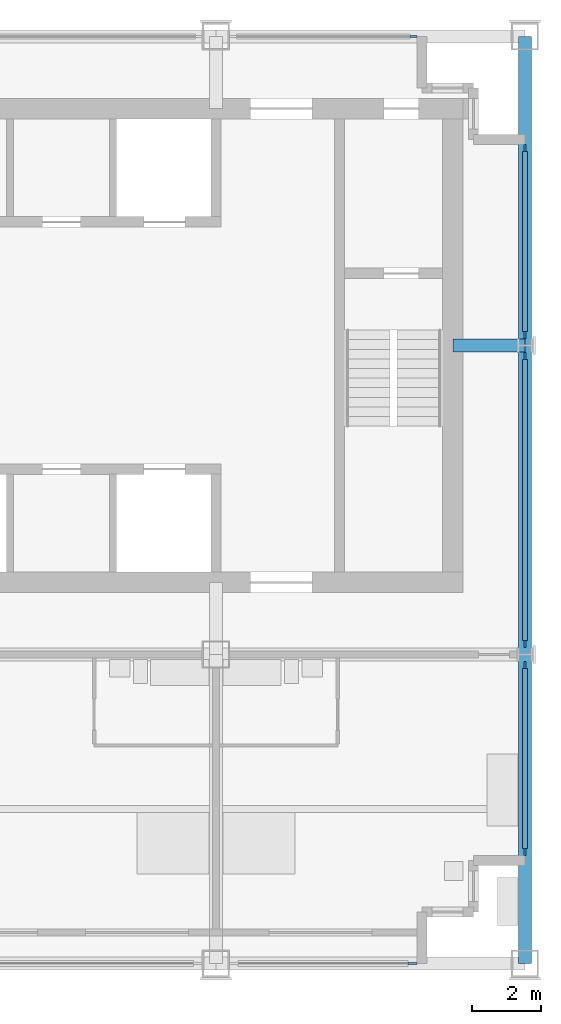
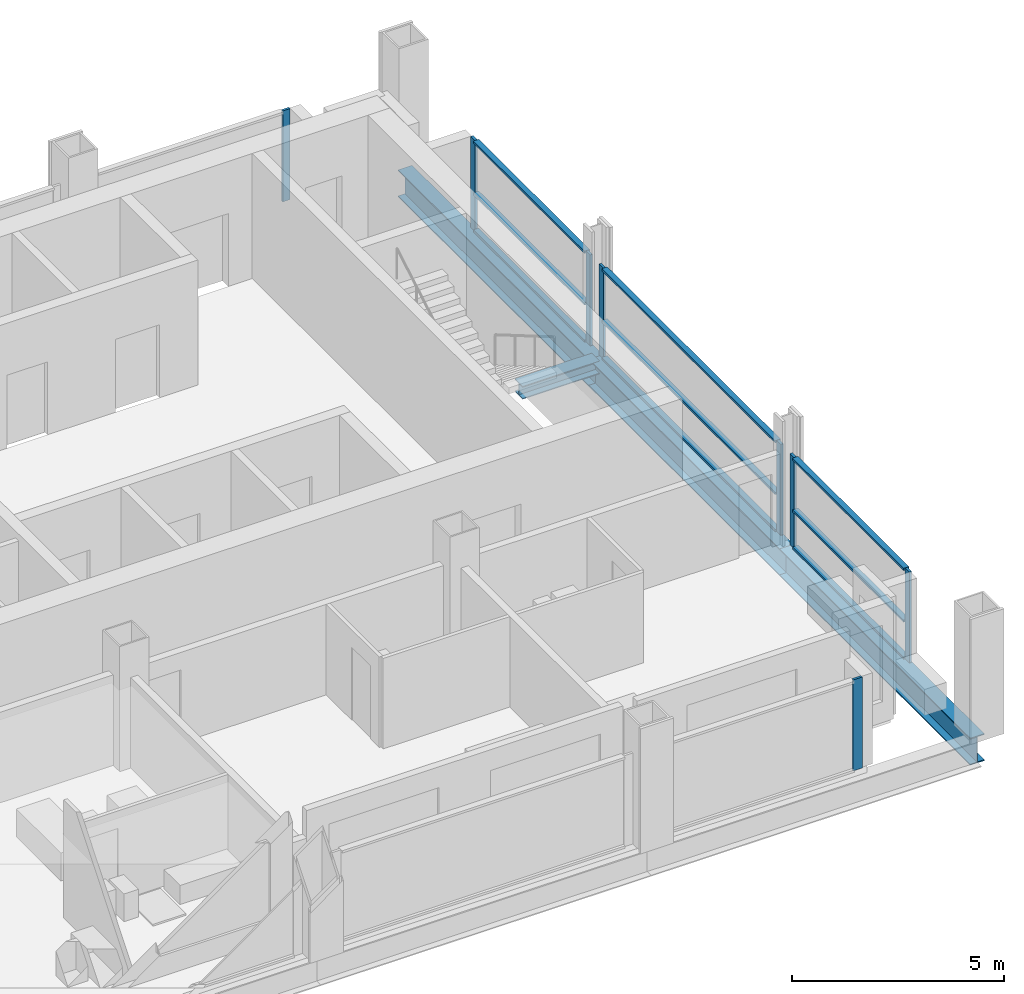
# One storey, part 4 of 11: 18 members, 3 beams, 5 elements without a shape of their own.
"""IFC4 building model written with IfcOpenShell, lengths in metres."""

import ifcopenshell
import ifcopenshell.guid

model = None  # the IFC model being written
_history = None  # IfcOwnerHistory: only IFC2X3 demands one
_inside = {}  # id of a spatial element -> (the spatial element, [elements in it])
_under = {}  # id of a project, library or spatial element -> (it, [spatial elements below it])
_declared = {}  # id of a project -> (the project, [libraries it declares])
_typed = {}  # id of a type object -> (the type object, [elements of that type])
_made_of = {}  # id of a material, layer set ... -> (it, [elements and type objects made of it])


def new_model(schema):
    """Start an empty IFC model of exactly this schema.

    Asked for "IFC4X3", IfcOpenShell would pick the latest addendum, in which some entities
    have other attributes; the version numbers below select the first issue.
    IFC2X3 requires an IfcOwnerHistory on every rooted entity: one is made here for all.
    """
    global model, _history
    if schema == "IFC4X3":
        model = ifcopenshell.file(schema_version=(4, 3, 0, 0))
    else:
        model = ifcopenshell.file(schema=schema)
    _inside.clear()
    _under.clear()
    _declared.clear()
    _typed.clear()
    _made_of.clear()
    _history = None
    if model.schema == "IFC2X3":
        org = make("IfcOrganization", Name="unknown")
        user = make(
            "IfcPersonAndOrganization",
            ThePerson=make("IfcPerson", FamilyName="unknown"),
            TheOrganization=org,
        )
        app = make(
            "IfcApplication",
            ApplicationDeveloper=org,
            Version="unknown",
            ApplicationFullName="unknown",
            ApplicationIdentifier="unknown",
        )
        _history = make(
            "IfcOwnerHistory",
            OwningUser=user,
            OwningApplication=app,
            ChangeAction="ADDED",
            CreationDate=0,
        )
    return model


def make(cls, **values):
    """One entity of the class cls with the attributes given. An attribute that is None is left unset."""
    return model.create_entity(
        cls, **{name: value for name, value in values.items() if value is not None}
    )


def rooted(cls, **values):
    """An entity with a GlobalId (a new one), such as an element, a storey or a relation."""
    return make(cls, GlobalId=ifcopenshell.guid.new(), OwnerHistory=_history, **values)


def si_unit(unit_type, name, prefix=None):
    """IfcSIUnit, for example si_unit("LENGTHUNIT", "METRE", prefix="MILLI")."""
    return make("IfcSIUnit", UnitType=unit_type, Prefix=prefix, Name=name)


def assignment(units):
    """IfcUnitAssignment: the units of a project."""
    return None if units is None else make("IfcUnitAssignment", Units=units)


def point(xyz):
    """IfcCartesianPoint."""
    return None if xyz is None else make("IfcCartesianPoint", Coordinates=xyz)


def direction(xyz):
    """IfcDirection."""
    return None if xyz is None else make("IfcDirection", DirectionRatios=xyz)


def frame(location, z_axis=None, x_axis=None):
    """IfcAxis2Placement3D, a coordinate frame: its origin and axes. An axis left out is left unset."""
    return make(
        "IfcAxis2Placement3D",
        Location=point(location),
        Axis=direction(z_axis),
        RefDirection=direction(x_axis),
    )


def frame_2d(location, x_axis=None):
    """IfcAxis2Placement2D, a coordinate frame in the plane: its origin and x axis."""
    return make(
        "IfcAxis2Placement2D", Location=point(location), RefDirection=direction(x_axis)
    )


def origin():
    """The frame at (0, 0, 0) with its axes left unset."""
    return frame((0.0, 0.0, 0.0))


def origin_2d():
    """The frame at (0, 0) in the plane with its x axis left unset."""
    return frame_2d((0.0, 0.0))


def place(relative_to, where):
    """IfcLocalPlacement: puts the frame where relative to a parent placement (None: the world)."""
    return make(
        "IfcLocalPlacement", PlacementRelTo=relative_to, RelativePlacement=where
    )


def context(
    kind, dimensions, precision=None, world=None, true_north=None, identifier=None
):
    """IfcGeometricRepresentationContext, for example the 3D "Model" context."""
    return make(
        "IfcGeometricRepresentationContext",
        ContextIdentifier=identifier,
        ContextType=kind,
        CoordinateSpaceDimension=dimensions,
        Precision=precision,
        WorldCoordinateSystem=world,
        TrueNorth=true_north,
    )


def subcontext(parent, identifier, kind, view, scale=None):
    """IfcGeometricRepresentationSubContext, for example "Body" below "Model"."""
    return make(
        "IfcGeometricRepresentationSubContext",
        ContextIdentifier=identifier,
        ContextType=kind,
        ParentContext=parent,
        TargetScale=scale,
        TargetView=view,
    )


def project(units=None, contexts=None):
    """IfcProject with its units and contexts."""
    return rooted(
        "IfcProject",
        Name="project",
        RepresentationContexts=contexts,
        UnitsInContext=assignment(units),
    )


def spatial(cls, under=None, at=None, **own):
    """A site, building, storey or space (cls), placed at a placement, below another one or the project."""
    s = rooted(cls, ObjectPlacement=at, **own)
    if under is not None:
        _under.setdefault(under.id(), (under, []))[1].append(s)
    return s


def profile(cls, at=None, kind="AREA", **sizes):
    """A parametric profile (cls). Its sizes go by their IFC names, for example OverallWidth=200.0."""
    return make(cls, ProfileType=kind, Position=at, **sizes)


def rectangle(**sizes):
    """IfcRectangleProfileDef."""
    return profile("IfcRectangleProfileDef", **sizes)


def i_section(**sizes):
    """IfcIShapeProfileDef."""
    return profile("IfcIShapeProfileDef", **sizes)


def extrude(swept, where, along, depth):
    """IfcExtrudedAreaSolid: the profile swept, set in the frame where, extruded along a direction by depth."""
    return make(
        "IfcExtrudedAreaSolid",
        SweptArea=swept,
        Position=where,
        ExtrudedDirection=direction(along),
        Depth=depth,
    )


def shape(context_of_items, identifier, shape_type, items):
    """IfcShapeRepresentation: the items that make up one representation, for example the "Body"."""
    return make(
        "IfcShapeRepresentation",
        ContextOfItems=context_of_items,
        RepresentationIdentifier=identifier,
        RepresentationType=shape_type,
        Items=items,
    )


def material(Name=None, Category=None):
    """IfcMaterial."""
    return make("IfcMaterial", Name=Name, Category=Category)


def material_profile(
    of_material, cross_section, Name=None, Category=None, Priority=None
):
    """IfcMaterialProfile: a cross section and its material."""
    return make(
        "IfcMaterialProfile",
        Name=Name,
        Material=of_material,
        Profile=cross_section,
        Priority=Priority,
        Category=Category,
    )


def profile_set(profiles, Name=None, composite=None):
    """IfcMaterialProfileSet."""
    return make(
        "IfcMaterialProfileSet",
        Name=Name,
        MaterialProfiles=profiles,
        CompositeProfile=composite,
    )


def made_of(thing, what):
    """Note that an element or type object is made of a material, layer set ...; save() writes the relation."""
    if what is not None:
        _made_of.setdefault(what.id(), (what, []))[1].append(thing)
    return thing


def type_object(cls, material=None, **own):
    """A type object (cls), such as IfcWallType, which elements share."""
    return made_of(rooted(cls, **own), material)


def element(
    cls,
    number,
    at=None,
    inside=None,
    cuts=None,
    type_object=None,
    material=None,
    context=None,
    identifier="Body",
    shape_type=None,
    held_by="IfcProductDefinitionShape",
    body=None,
    shapes=None,
    **own,
):
    """One element of the class cls, such as IfcWall. Its Tag is "e" and its number.

    at: its placement. inside: the storey or other place that contains it. cuts: it is an
    opening in that element (IfcRelVoidsElement). A single representation is given by context,
    identifier, shape_type and body (its items); several are given by shapes. held_by: the class
    of the entity that holds the representations. save() writes the other relations.
    """
    e = rooted(cls, Tag="e%d" % number, ObjectPlacement=at, **own)
    if body is not None:
        shapes = [shape(context, identifier, shape_type, body)]
    if shapes is not None:
        e.Representation = make(held_by, Representations=shapes)
    if inside is not None:
        _inside.setdefault(inside.id(), (inside, []))[1].append(e)
    if cuts is not None:
        rooted(
            "IfcRelVoidsElement", RelatingBuildingElement=cuts, RelatedOpeningElement=e
        )
    if type_object is not None:
        _typed.setdefault(type_object.id(), (type_object, []))[1].append(e)
    return made_of(e, material)


def aggregate(whole, parts):
    """IfcRelAggregates: a whole, such as a stair, and the parts it consists of."""
    return rooted("IfcRelAggregates", RelatingObject=whole, RelatedObjects=parts)


def save(model, path):
    """Write the relations noted so far, then the file.

    IfcRelAggregates (storeys below a building ...), IfcRelContainedInSpatialStructure (elements
    in a storey), IfcRelDefinesByType, IfcRelAssociatesMaterial and IfcRelDeclares: one each for
    every whole, place, type object, material and project.
    """
    for whole, parts in _under.values():
        aggregate(whole, parts)
    for where, things in _inside.values():
        rooted(
            "IfcRelContainedInSpatialStructure",
            RelatedElements=things,
            RelatingStructure=where,
        )
    for kind, things in _typed.values():
        rooted("IfcRelDefinesByType", RelatedObjects=things, RelatingType=kind)
    for what, things in _made_of.values():
        rooted("IfcRelAssociatesMaterial", RelatedObjects=things, RelatingMaterial=what)
    for by, libraries in _declared.values():
        rooted("IfcRelDeclares", RelatingContext=by, RelatedDefinitions=libraries)
    model.write(path)


model = new_model("IFC4")

# Units and contexts
model_context = context("Model", 3, precision=1e-05, world=origin(), true_north=direction((0.0, 1.0)))
body_context = subcontext(model_context, "Body", "Model", "MODEL_VIEW")
ifc_project = project(units=[si_unit("LENGTHUNIT", "METRE"), si_unit("AREAUNIT", "SQUARE_METRE"), si_unit("VOLUMEUNIT", "CUBIC_METRE"), si_unit("PLANEANGLEUNIT", "RADIAN"), si_unit("MASSUNIT", "GRAM", prefix="KILO")], contexts=[model_context])

# Site, building, storey
site_placement = place(None, origin())
site = spatial("IfcSite", under=ifc_project, at=site_placement, CompositionType="ELEMENT")
building_placement = place(site_placement, origin())
building = spatial("IfcBuilding", under=site, at=building_placement, Name="Loomwork Tower", CompositionType="ELEMENT")
storey_placement = place(building_placement, frame((0.0, 0.0, 244.60009765625)))
storey = spatial("IfcBuildingStorey", under=building, at=storey_placement, Name="L67", CompositionType="ELEMENT", Elevation=244.60009765625)

# Member
ifc_material_1 = material(Name="Steel ASTM A992", Category="steel")
ifc_material_profile_1 = material_profile(ifc_material_1, i_section(OverallWidth=0.373291015625, OverallDepth=0.373291015625, WebThickness=0.016357421875, FlangeThickness=0.026123046875, at=origin_2d()), Name="W14x132")
ifc_profile_set_1 = profile_set([ifc_material_profile_1], Name="Steel ASTM A992")
member_type_1 = type_object("IfcMemberType", Name="CORE LINK STRUT W14x132", PredefinedType="STRUT", material=ifc_profile_set_1)
member_1_placement = place(storey_placement, frame((36.0, 18.0, -0.38671875), z_axis=(-1.0, 0.0, 0.0), x_axis=(0.0, -1.0, 0.0)))
element("IfcMember", 1, at=member_1_placement, inside=storey, type_object=member_type_1, Name="Core link strut F/6-33.900,18.000 L67", PredefinedType="STRUT", context=body_context, shape_type="SweptSolid", body=[
    extrude(i_section(OverallWidth=0.373291015625, OverallDepth=0.373291015625, WebThickness=0.016357421875, FlangeThickness=0.026123046875, at=origin_2d()), origin(), (0.0, 0.0, 1.0), 2.10009765625),
])

# Curtain wall, member
ifc_material_2 = material(Name="Aluminium curtain wall frame", Category="aluminium")
curtain_wall_type_1 = type_object("IfcCurtainWallType", Name="Outer skin glazing suites", PredefinedType="NOTDEFINED", material=ifc_material_2)
curtain_wall_1_placement = place(storey_placement, origin())
curtain_wall_1 = element("IfcCurtainWall", 2, at=curtain_wall_1_placement, inside=storey, type_object=curtain_wall_type_1, Name="Outer skin glazing suites cw/S-27", PredefinedType="NOTDEFINED")
ifc_material_3 = material(Name="Aluminium curtain wall frame", Category="aluminium")
ifc_material_profile_2 = material_profile(ifc_material_3, rectangle(XDim=0.06494140625, YDim=0.25, at=origin_2d()), Name="AL 65x250")
ifc_profile_set_2 = profile_set([ifc_material_profile_2], Name="Aluminium curtain wall frame")
member_type_2 = type_object("IfcMemberType", Name="Outer skin glazing suites mullion", PredefinedType="MULLION", material=ifc_profile_set_2)
member_2_placement = place(storey_placement, frame((32.72509765625, 0.0, 0.0), z_axis=(0.0, 0.0, 1.0), x_axis=(0.0, 1.0, 0.0)))
member_2 = element("IfcMember", 3, at=member_2_placement, type_object=member_type_2, Name="CW2 mullion 2", PredefinedType="MULLION", context=body_context, shape_type="SweptSolid", body=[
    extrude(rectangle(XDim=0.06494140625, YDim=0.25, at=origin_2d()), origin(), (0.0, 0.0, 1.0), 2.6201171875),
])
aggregate(curtain_wall_1, [member_2])

# Beams
ifc_material_4 = material(Name="Steel ASTM A992", Category="steel")
ifc_material_profile_3 = material_profile(ifc_material_4, i_section(OverallWidth=0.381103515625, OverallDepth=0.77978515625, WebThickness=0.01806640625, FlangeThickness=0.0302734375, at=origin_2d()), Name="W30x191")
ifc_profile_set_3 = profile_set([ifc_material_profile_3], Name="Steel ASTM A992")
beam_type = type_object("IfcBeamType", Name="SPANDREL GIRDER W30x191", PredefinedType="SPANDREL", material=ifc_profile_set_3)
for number, where, z_axis, x_axis, name in (
    (4, (36.0, 0.0, -0.590087890625), (0.0, 1.0, 0.0), (-1.0, 0.0, 0.0), "Spandrel Girder D/6-E/6 L67"),
    (5, (36.0, 9.0, -0.590087890625), (0.0, 1.0, 0.0), (-1.0, 0.0, 0.0), "Spandrel Girder E/6-F/6 L67"),
    (6, (36.0, 18.0, -0.590087890625), (0.0, 1.0, 0.0), (-1.0, 0.0, 0.0), "Spandrel Girder F/6-G/6 L67"),
):
    element("IfcBeam", number, at=place(storey_placement, frame(where, z_axis=z_axis, x_axis=x_axis)), inside=storey, type_object=beam_type, Name=name, PredefinedType="SPANDREL", context=body_context, shape_type="SweptSolid", body=[
        extrude(i_section(OverallWidth=0.381103515625, OverallDepth=0.77978515625, WebThickness=0.01806640625, FlangeThickness=0.0302734375, at=origin_2d()), origin(), (0.0, 0.0, 1.0), 9.0),
    ])

# Curtain wall, member
ifc_material_5 = material(Name="Aluminium curtain wall frame", Category="aluminium")
curtain_wall_type_2 = type_object("IfcCurtainWallType", Name="Single skin glazing corridor", PredefinedType="NOTDEFINED", material=ifc_material_5)
curtain_wall_2_placement = place(storey_placement, origin())
curtain_wall_2 = element("IfcCurtainWall", 7, at=curtain_wall_2_placement, inside=storey, type_object=curtain_wall_type_2, Name="Single skin glazing corridor cw/N-27", PredefinedType="NOTDEFINED")
ifc_material_6 = material(Name="Aluminium curtain wall frame", Category="aluminium")
ifc_material_profile_4 = material_profile(ifc_material_6, rectangle(XDim=0.06494140625, YDim=0.199951171875, at=origin_2d()), Name="AL 65x200")
ifc_profile_set_4 = profile_set([ifc_material_profile_4], Name="Aluminium curtain wall frame")
member_type_3 = type_object("IfcMemberType", Name="Single skin glazing corridor mullion", PredefinedType="MULLION", material=ifc_profile_set_4)
member_3_placement = place(storey_placement, frame((32.75, 27.0, 0.0), z_axis=(0.0, 0.0, 1.0), x_axis=(0.0, -1.0, 0.0)))
member_3 = element("IfcMember", 8, at=member_3_placement, type_object=member_type_3, Name="CW3 mullion 1", PredefinedType="MULLION", context=body_context, shape_type="SweptSolid", body=[
    extrude(rectangle(XDim=0.06494140625, YDim=0.199951171875, at=origin_2d()), origin(), (0.0, 0.0, 1.0), 2.6201171875),
])
aggregate(curtain_wall_2, [member_3])

# Curtain wall, members
curtain_wall_3_placement = place(storey_placement, origin())
curtain_wall_3 = element("IfcCurtainWall", 9, at=curtain_wall_3_placement, inside=storey, type_object=curtain_wall_type_2, Name="Single skin glazing corridor cw/E-0", PredefinedType="NOTDEFINED")
member_4_placement = place(storey_placement, frame((36.0, 3.25, 0.0), z_axis=(0.0, 0.0, 1.0), x_axis=(-1.0, 0.0, 0.0)))
member_4 = element("IfcMember", 10, at=member_4_placement, type_object=member_type_3, Name="CW3 mullion 1", PredefinedType="MULLION", context=body_context, shape_type="SweptSolid", body=[
    extrude(rectangle(XDim=0.06494140625, YDim=0.199951171875, at=origin_2d()), origin(), (0.0, 0.0, 1.0), 2.6201171875),
])
member_5_placement = place(storey_placement, frame((36.0, 8.689208984375, 0.0), z_axis=(0.0, 0.0, 1.0), x_axis=(-1.0, 0.0, 0.0)))
member_5 = element("IfcMember", 11, at=member_5_placement, type_object=member_type_3, Name="CW3 mullion 2", PredefinedType="MULLION", context=body_context, shape_type="SweptSolid", body=[
    extrude(rectangle(XDim=0.06494140625, YDim=0.199951171875, at=origin_2d()), origin(), (0.0, 0.0, 1.0), 2.6201171875),
])

curtain_wall_4_placement = place(storey_placement, origin())
curtain_wall_4 = element("IfcCurtainWall", 12, at=curtain_wall_4_placement, inside=storey, type_object=curtain_wall_type_2, Name="Single skin glazing corridor cw/E-9", PredefinedType="NOTDEFINED")
member_6_placement = place(storey_placement, frame((36.0, 9.310791015625, 0.0), z_axis=(0.0, 0.0, 1.0), x_axis=(-1.0, 0.0, 0.0)))
member_6 = element("IfcMember", 13, at=member_6_placement, type_object=member_type_3, Name="CW3 mullion 1", PredefinedType="MULLION", context=body_context, shape_type="SweptSolid", body=[
    extrude(rectangle(XDim=0.06494140625, YDim=0.199951171875, at=origin_2d()), origin(), (0.0, 0.0, 1.0), 2.6201171875),
])
member_7_placement = place(storey_placement, frame((36.0, 17.689208984375, 0.0), z_axis=(0.0, 0.0, 1.0), x_axis=(-1.0, 0.0, 0.0)))
member_7 = element("IfcMember", 14, at=member_7_placement, type_object=member_type_3, Name="CW3 mullion 2", PredefinedType="MULLION", context=body_context, shape_type="SweptSolid", body=[
    extrude(rectangle(XDim=0.06494140625, YDim=0.199951171875, at=origin_2d()), origin(), (0.0, 0.0, 1.0), 2.6201171875),
])

curtain_wall_5_placement = place(storey_placement, origin())
curtain_wall_5 = element("IfcCurtainWall", 15, at=curtain_wall_5_placement, inside=storey, type_object=curtain_wall_type_2, Name="Single skin glazing corridor cw/E-18", PredefinedType="NOTDEFINED")
member_8_placement = place(storey_placement, frame((36.0, 18.310791015625, 0.0), z_axis=(0.0, 0.0, 1.0), x_axis=(-1.0, 0.0, 0.0)))
member_8 = element("IfcMember", 16, at=member_8_placement, type_object=member_type_3, Name="CW3 mullion 1", PredefinedType="MULLION", context=body_context, shape_type="SweptSolid", body=[
    extrude(rectangle(XDim=0.06494140625, YDim=0.199951171875, at=origin_2d()), origin(), (0.0, 0.0, 1.0), 2.6201171875),
])
member_9_placement = place(storey_placement, frame((36.0, 23.75, 0.0), z_axis=(0.0, 0.0, 1.0), x_axis=(-1.0, 0.0, 0.0)))
member_9 = element("IfcMember", 17, at=member_9_placement, type_object=member_type_3, Name="CW3 mullion 2", PredefinedType="MULLION", context=body_context, shape_type="SweptSolid", body=[
    extrude(rectangle(XDim=0.06494140625, YDim=0.199951171875, at=origin_2d()), origin(), (0.0, 0.0, 1.0), 2.6201171875),
])

# Member
ifc_material_7 = material(Name="Aluminium curtain wall frame", Category="aluminium")
ifc_material_profile_5 = material_profile(ifc_material_7, rectangle(XDim=0.14990234375, YDim=0.06494140625, at=origin_2d()), Name="AL 65x150")
ifc_profile_set_5 = profile_set([ifc_material_profile_5], Name="Aluminium curtain wall frame")
member_type_4 = type_object("IfcMemberType", Name="Single skin glazing corridor transom", PredefinedType="USERDEFINED", material=ifc_profile_set_5)
member_10_placement = place(storey_placement, frame((36.0, 3.35009765625, 0.032470703125), z_axis=(0.0, 1.0, 0.0), x_axis=(-1.0, 0.0, 0.0)))
member_10 = element("IfcMember", 18, at=member_10_placement, type_object=member_type_4, Name="CW3 transom 1.1", ObjectType="TRANSOM", PredefinedType="USERDEFINED", context=body_context, shape_type="SweptSolid", body=[
    extrude(rectangle(XDim=0.14990234375, YDim=0.06494140625, at=origin_2d()), origin(), (0.0, 0.0, 1.0), 5.239013671875),
])

member_11_placement = place(storey_placement, frame((36.0, 3.35009765625, 1.099853515625), z_axis=(0.0, 1.0, 0.0), x_axis=(-1.0, 0.0, 0.0)))
member_11 = element("IfcMember", 19, at=member_11_placement, type_object=member_type_4, Name="CW3 transom 1.2", ObjectType="TRANSOM", PredefinedType="USERDEFINED", context=body_context, shape_type="SweptSolid", body=[
    extrude(rectangle(XDim=0.14990234375, YDim=0.06494140625, at=origin_2d()), origin(), (0.0, 0.0, 1.0), 5.239013671875),
])

member_12_placement = place(storey_placement, frame((36.0, 3.35009765625, 2.587646484375), z_axis=(0.0, 1.0, 0.0), x_axis=(-1.0, 0.0, 0.0)))
member_12 = element("IfcMember", 20, at=member_12_placement, type_object=member_type_4, Name="CW3 transom 1.3", ObjectType="TRANSOM", PredefinedType="USERDEFINED", context=body_context, shape_type="SweptSolid", body=[
    extrude(rectangle(XDim=0.14990234375, YDim=0.06494140625, at=origin_2d()), origin(), (0.0, 0.0, 1.0), 5.239013671875),
])

aggregate(curtain_wall_3, [member_4, member_5, member_10, member_11, member_12])

member_13_placement = place(storey_placement, frame((36.0, 9.410888671875, 0.032470703125), z_axis=(0.0, 1.0, 0.0), x_axis=(-1.0, 0.0, 0.0)))
member_13 = element("IfcMember", 21, at=member_13_placement, type_object=member_type_4, Name="CW3 transom 1.1", ObjectType="TRANSOM", PredefinedType="USERDEFINED", context=body_context, shape_type="SweptSolid", body=[
    extrude(rectangle(XDim=0.14990234375, YDim=0.06494140625, at=origin_2d()), origin(), (0.0, 0.0, 1.0), 8.17822265625),
])

member_14_placement = place(storey_placement, frame((36.0, 9.410888671875, 1.099853515625), z_axis=(0.0, 1.0, 0.0), x_axis=(-1.0, 0.0, 0.0)))
member_14 = element("IfcMember", 22, at=member_14_placement, type_object=member_type_4, Name="CW3 transom 1.2", ObjectType="TRANSOM", PredefinedType="USERDEFINED", context=body_context, shape_type="SweptSolid", body=[
    extrude(rectangle(XDim=0.14990234375, YDim=0.06494140625, at=origin_2d()), origin(), (0.0, 0.0, 1.0), 8.17822265625),
])

member_15_placement = place(storey_placement, frame((36.0, 9.410888671875, 2.587646484375), z_axis=(0.0, 1.0, 0.0), x_axis=(-1.0, 0.0, 0.0)))
member_15 = element("IfcMember", 23, at=member_15_placement, type_object=member_type_4, Name="CW3 transom 1.3", ObjectType="TRANSOM", PredefinedType="USERDEFINED", context=body_context, shape_type="SweptSolid", body=[
    extrude(rectangle(XDim=0.14990234375, YDim=0.06494140625, at=origin_2d()), origin(), (0.0, 0.0, 1.0), 8.17822265625),
])

aggregate(curtain_wall_4, [member_6, member_7, member_13, member_14, member_15])

member_16_placement = place(storey_placement, frame((36.0, 18.410888671875, 0.032470703125), z_axis=(0.0, 1.0, 0.0), x_axis=(-1.0, 0.0, 0.0)))
member_16 = element("IfcMember", 24, at=member_16_placement, type_object=member_type_4, Name="CW3 transom 1.1", ObjectType="TRANSOM", PredefinedType="USERDEFINED", context=body_context, shape_type="SweptSolid", body=[
    extrude(rectangle(XDim=0.14990234375, YDim=0.06494140625, at=origin_2d()), origin(), (0.0, 0.0, 1.0), 5.239013671875),
])

member_17_placement = place(storey_placement, frame((36.0, 18.410888671875, 1.099853515625), z_axis=(0.0, 1.0, 0.0), x_axis=(-1.0, 0.0, 0.0)))
member_17 = element("IfcMember", 25, at=member_17_placement, type_object=member_type_4, Name="CW3 transom 1.2", ObjectType="TRANSOM", PredefinedType="USERDEFINED", context=body_context, shape_type="SweptSolid", body=[
    extrude(rectangle(XDim=0.14990234375, YDim=0.06494140625, at=origin_2d()), origin(), (0.0, 0.0, 1.0), 5.239013671875),
])

member_18_placement = place(storey_placement, frame((36.0, 18.410888671875, 2.587646484375), z_axis=(0.0, 1.0, 0.0), x_axis=(-1.0, 0.0, 0.0)))
member_18 = element("IfcMember", 26, at=member_18_placement, type_object=member_type_4, Name="CW3 transom 1.3", ObjectType="TRANSOM", PredefinedType="USERDEFINED", context=body_context, shape_type="SweptSolid", body=[
    extrude(rectangle(XDim=0.14990234375, YDim=0.06494140625, at=origin_2d()), origin(), (0.0, 0.0, 1.0), 5.239013671875),
])

aggregate(curtain_wall_5, [member_8, member_9, member_16, member_17, member_18])

save(model, "model.ifc")
